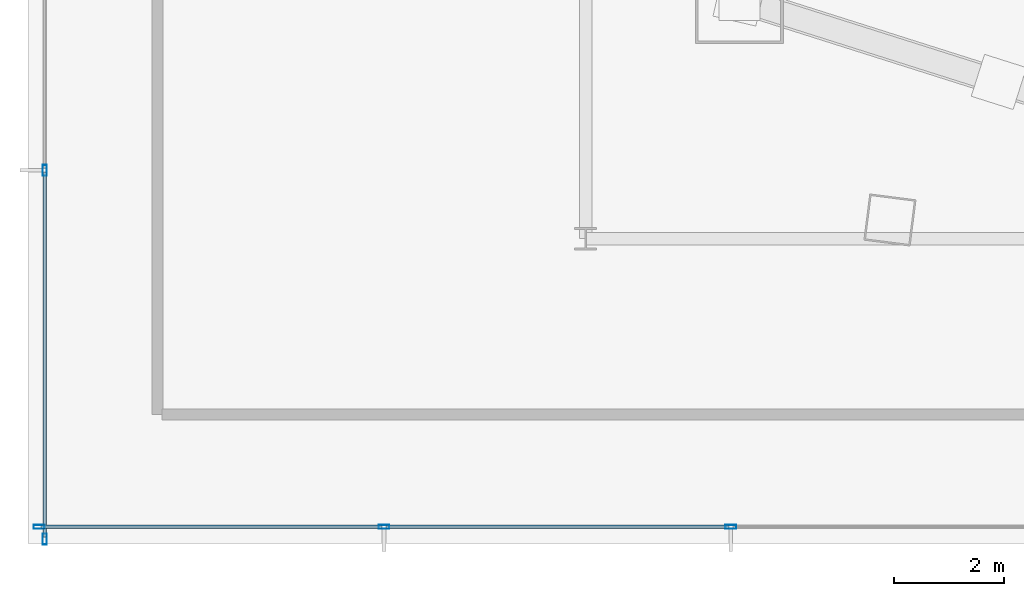
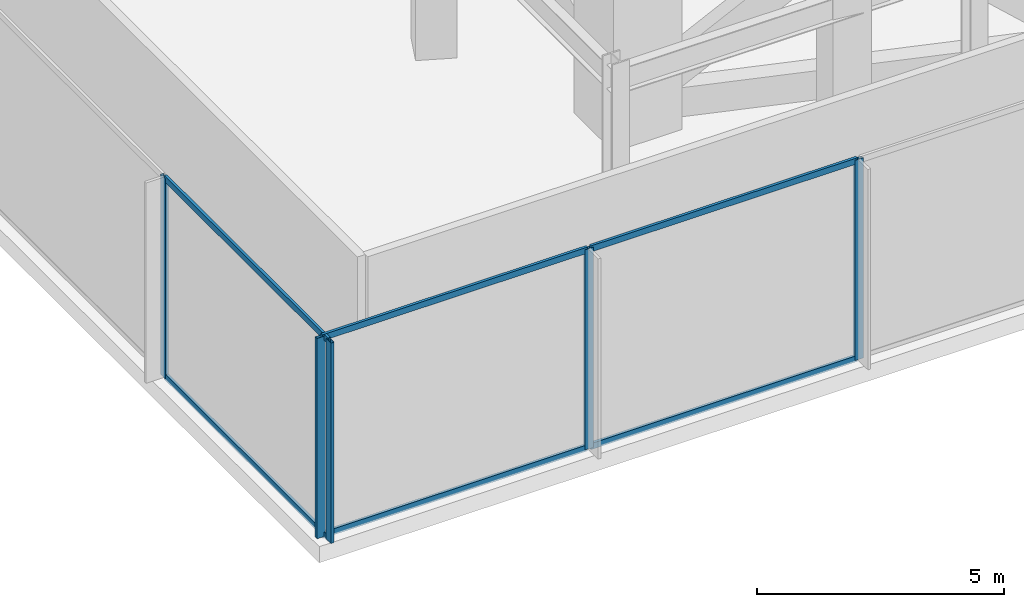
# One storey, part 2 of 43: 11 members, 2 elements without a shape of their own.
"""IFC4 building model written with IfcOpenShell, lengths in metres."""

from ifc_helpers import new_model, si_unit, direction, frame, origin, origin_2d, place, context, subcontext, project, spatial, hollow_rectangle, extrude, material, layer, layer_set, material_profile, profile_set, type_object, element, aggregate, save


model = new_model("IFC4")

# Units and contexts
model_context = context("Model", 3, precision=1e-05, world=origin(), true_north=direction((0.0, 1.0)))
body_context = subcontext(model_context, "Body", "Model", "MODEL_VIEW")
ifc_project = project(units=[si_unit("LENGTHUNIT", "METRE"), si_unit("AREAUNIT", "SQUARE_METRE"), si_unit("VOLUMEUNIT", "CUBIC_METRE"), si_unit("PLANEANGLEUNIT", "RADIAN"), si_unit("MASSUNIT", "GRAM", prefix="KILO")], contexts=[model_context])

# Site, building, storey
site_placement = place(None, origin())
site = spatial("IfcSite", under=ifc_project, at=site_placement, CompositionType="ELEMENT")
building_placement = place(site_placement, origin())
building = spatial("IfcBuilding", under=site, at=building_placement, Name="Orvanel Arch Residences", CompositionType="ELEMENT")
storey_placement = place(building_placement, frame((0.0, 0.0, 18.39990234375)))
storey = spatial("IfcBuildingStorey", under=building, at=storey_placement, Name="L04", CompositionType="ELEMENT", Elevation=18.39990234375)

# Curtain wall, members
ifc_material = material(Name="Bronze-anodised aluminium AA6063-T6", Category="aluminium")
ifc_layer = layer(ifc_material, 0.199951171875)
ifc_layer_set = layer_set([ifc_layer], Name="Bronze-anodised aluminium AA6063-T6")
curtain_wall_type = type_object("IfcCurtainWallType", Name="CW1-POD-SYS", PredefinedType="NOTDEFINED", material=ifc_layer_set)
curtain_wall_1_placement = place(storey_placement, origin())
curtain_wall_1 = element("IfcCurtainWall", 1, at=curtain_wall_1_placement, inside=storey, type_object=curtain_wall_type, Name="L04 CW1-POD-SYS Unitised Curtain Wall", PredefinedType="NOTDEFINED")
ifc_material_profile_1 = material_profile(ifc_material, hollow_rectangle(XDim=0.074951171875, YDim=0.199951171875, WallThickness=0.0048828125, at=origin_2d()), Name="ALU200x75x5")
ifc_profile_set_1 = profile_set([ifc_material_profile_1], Name="Bronze-anodised aluminium AA6063-T6")
member_type_1 = type_object("IfcMemberType", Name="MUL-200x75", PredefinedType="MULLION", material=ifc_profile_set_1)
member_1_placement = place(storey_placement, frame((1.447509765625, 0.75, 0.0), z_axis=(0.0, 0.0, 1.0), x_axis=(0.0, 1.0, 0.0)))
member_1 = element("IfcMember", 2, at=member_1_placement, type_object=member_type_1, Name="CW-S1 mullion 1", PredefinedType="MULLION", context=body_context, shape_type="SweptSolid", body=[
    extrude(hollow_rectangle(XDim=0.074951171875, YDim=0.199951171875, WallThickness=0.0048828125, at=origin_2d()), origin(), (0.0, 0.0, 1.0), 4.960205078125),
])
member_2_placement = place(storey_placement, frame((7.72802734375, 0.75, 0.0), z_axis=(0.0, 0.0, 1.0), x_axis=(0.0, 1.0, 0.0)))
member_2 = element("IfcMember", 3, at=member_2_placement, type_object=member_type_1, Name="CW-S1 mullion 2", PredefinedType="MULLION", context=body_context, shape_type="SweptSolid", body=[
    extrude(hollow_rectangle(XDim=0.074951171875, YDim=0.199951171875, WallThickness=0.0048828125, at=origin_2d()), origin(), (0.0, 0.0, 1.0), 4.960205078125),
])
member_3_placement = place(storey_placement, frame((14.0458984375, 0.75, 0.0), z_axis=(0.0, 0.0, 1.0), x_axis=(0.0, 1.0, 0.0)))
member_3 = element("IfcMember", 4, at=member_3_placement, type_object=member_type_1, Name="CW-S1 mullion 3", PredefinedType="MULLION", context=body_context, shape_type="SweptSolid", body=[
    extrude(hollow_rectangle(XDim=0.074951171875, YDim=0.199951171875, WallThickness=0.0048828125, at=origin_2d()), origin(), (0.0, 0.0, 1.0), 4.960205078125),
])

curtain_wall_2_placement = place(storey_placement, origin())
curtain_wall_2 = element("IfcCurtainWall", 5, at=curtain_wall_2_placement, inside=storey, type_object=curtain_wall_type, Name="L04 CW1-POD-SYS Unitised Curtain Wall", PredefinedType="NOTDEFINED")
member_4_placement = place(storey_placement, frame((1.550048828125, 7.242431640625, 0.0), z_axis=(0.0, 0.0, 1.0), x_axis=(1.0, 0.0, 0.0)))
member_4 = element("IfcMember", 6, at=member_4_placement, type_object=member_type_1, Name="CW-S1 mullion 8", PredefinedType="MULLION", context=body_context, shape_type="SweptSolid", body=[
    extrude(hollow_rectangle(XDim=0.074951171875, YDim=0.199951171875, WallThickness=0.0048828125, at=origin_2d()), origin(), (0.0, 0.0, 1.0), 4.960205078125),
])
member_5_placement = place(storey_placement, frame((1.550048828125, 0.527587890625, 0.0), z_axis=(0.0, 0.0, 1.0), x_axis=(1.0, 0.0, 0.0)))
member_5 = element("IfcMember", 7, at=member_5_placement, type_object=member_type_1, Name="CW-S1 mullion 9", PredefinedType="MULLION", context=body_context, shape_type="SweptSolid", body=[
    extrude(hollow_rectangle(XDim=0.074951171875, YDim=0.199951171875, WallThickness=0.0048828125, at=origin_2d()), origin(), (0.0, 0.0, 1.0), 4.960205078125),
])

# Member
ifc_material_profile_2 = material_profile(ifc_material, hollow_rectangle(XDim=0.06494140625, YDim=0.14990234375, WallThickness=0.00390625, at=origin_2d()), Name="ALU150x65x4")
ifc_profile_set_2 = profile_set([ifc_material_profile_2], Name="Bronze-anodised aluminium AA6063-T6")
member_type_2 = type_object("IfcMemberType", Name="TRN-150x65", PredefinedType="USERDEFINED", material=ifc_profile_set_2)
member_6_placement = place(storey_placement, frame((1.485107421875, 0.75, 0.03271484375), z_axis=(1.0, 0.0, 0.0), x_axis=(0.0, 1.0, 0.0)))
member_6 = element("IfcMember", 8, at=member_6_placement, type_object=member_type_2, Name="CW-S1 transom 1.1", ObjectType="TRANSOM", PredefinedType="USERDEFINED", context=body_context, shape_type="SweptSolid", body=[
    extrude(hollow_rectangle(XDim=0.06494140625, YDim=0.14990234375, WallThickness=0.00390625, at=origin_2d()), origin(), (0.0, 0.0, 1.0), 6.205322265625),
])

member_7_placement = place(storey_placement, frame((1.485107421875, 0.75, 4.927490234375), z_axis=(1.0, 0.0, 0.0), x_axis=(0.0, 1.0, 0.0)))
member_7 = element("IfcMember", 9, at=member_7_placement, type_object=member_type_2, Name="CW-S1 transom 1.2", ObjectType="TRANSOM", PredefinedType="USERDEFINED", context=body_context, shape_type="SweptSolid", body=[
    extrude(hollow_rectangle(XDim=0.06494140625, YDim=0.14990234375, WallThickness=0.00390625, at=origin_2d()), origin(), (0.0, 0.0, 1.0), 6.205322265625),
])

member_8_placement = place(storey_placement, frame((7.765380859375, 0.75, 0.03271484375), z_axis=(1.0, 0.0, 0.0), x_axis=(0.0, 1.0, 0.0)))
member_8 = element("IfcMember", 10, at=member_8_placement, type_object=member_type_2, Name="CW-S1 transom 2.1", ObjectType="TRANSOM", PredefinedType="USERDEFINED", context=body_context, shape_type="SweptSolid", body=[
    extrude(hollow_rectangle(XDim=0.06494140625, YDim=0.14990234375, WallThickness=0.00390625, at=origin_2d()), origin(), (0.0, 0.0, 1.0), 6.2431640625),
])

member_9_placement = place(storey_placement, frame((7.765380859375, 0.75, 4.927490234375), z_axis=(1.0, 0.0, 0.0), x_axis=(0.0, 1.0, 0.0)))
member_9 = element("IfcMember", 11, at=member_9_placement, type_object=member_type_2, Name="CW-S1 transom 2.2", ObjectType="TRANSOM", PredefinedType="USERDEFINED", context=body_context, shape_type="SweptSolid", body=[
    extrude(hollow_rectangle(XDim=0.06494140625, YDim=0.14990234375, WallThickness=0.00390625, at=origin_2d()), origin(), (0.0, 0.0, 1.0), 6.2431640625),
])

aggregate(curtain_wall_1, [member_1, member_2, member_3, member_6, member_7, member_8, member_9])

member_10_placement = place(storey_placement, frame((1.550048828125, 7.205078125, 0.03271484375), z_axis=(0.0, -1.0, 0.0), x_axis=(1.0, 0.0, 0.0)))
member_10 = element("IfcMember", 12, at=member_10_placement, type_object=member_type_2, Name="CW-S1 transom 8.1", ObjectType="TRANSOM", PredefinedType="USERDEFINED", context=body_context, shape_type="SweptSolid", body=[
    extrude(hollow_rectangle(XDim=0.06494140625, YDim=0.14990234375, WallThickness=0.00390625, at=origin_2d()), origin(), (0.0, 0.0, 1.0), 6.64013671875),
])

member_11_placement = place(storey_placement, frame((1.550048828125, 7.205078125, 4.927490234375), z_axis=(0.0, -1.0, 0.0), x_axis=(1.0, 0.0, 0.0)))
member_11 = element("IfcMember", 13, at=member_11_placement, type_object=member_type_2, Name="CW-S1 transom 8.2", ObjectType="TRANSOM", PredefinedType="USERDEFINED", context=body_context, shape_type="SweptSolid", body=[
    extrude(hollow_rectangle(XDim=0.06494140625, YDim=0.14990234375, WallThickness=0.00390625, at=origin_2d()), origin(), (0.0, 0.0, 1.0), 6.64013671875),
])

aggregate(curtain_wall_2, [member_4, member_5, member_10, member_11])

save(model, "model.ifc")
